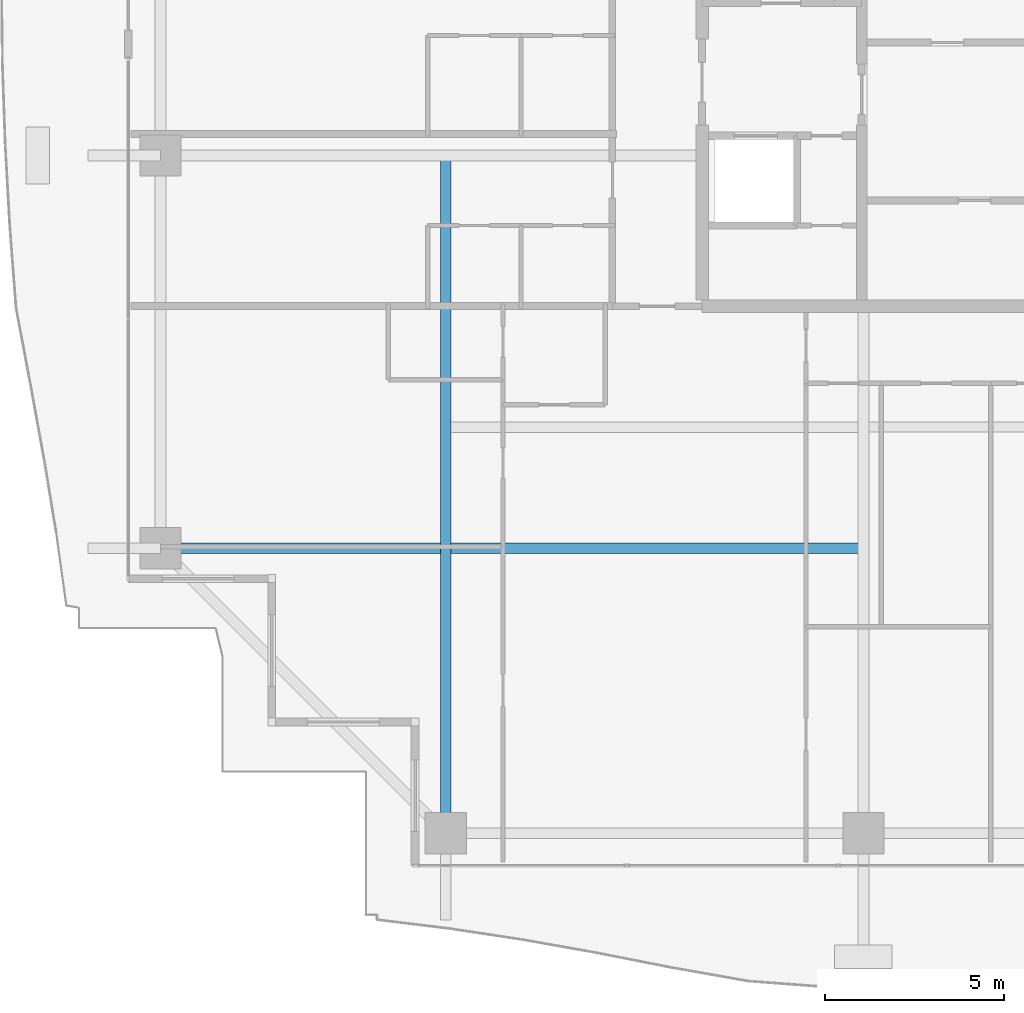
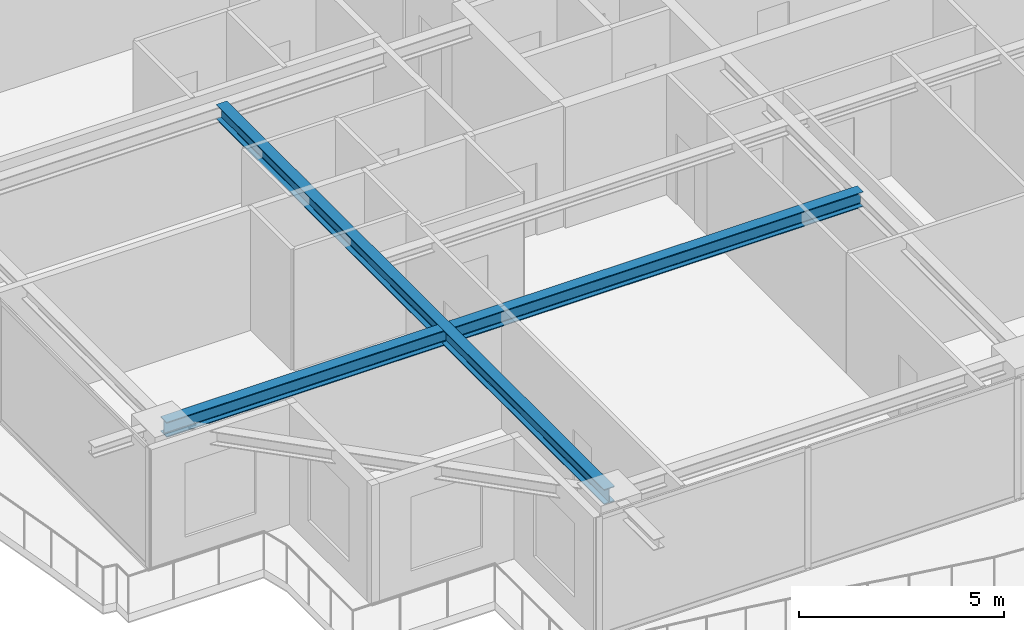
# One storey, part 4 of 36: 2 beams.
"""IFC4 building model written with IfcOpenShell, lengths in metres."""

import ifcopenshell
import ifcopenshell.guid

model = None  # the IFC model being written
_history = None  # IfcOwnerHistory: only IFC2X3 demands one
_inside = {}  # id of a spatial element -> (the spatial element, [elements in it])
_under = {}  # id of a project, library or spatial element -> (it, [spatial elements below it])
_declared = {}  # id of a project -> (the project, [libraries it declares])
_typed = {}  # id of a type object -> (the type object, [elements of that type])
_made_of = {}  # id of a material, layer set ... -> (it, [elements and type objects made of it])


def new_model(schema):
    """Start an empty IFC model of exactly this schema.

    Asked for "IFC4X3", IfcOpenShell would pick the latest addendum, in which some entities
    have other attributes; the version numbers below select the first issue.
    IFC2X3 requires an IfcOwnerHistory on every rooted entity: one is made here for all.
    """
    global model, _history
    if schema == "IFC4X3":
        model = ifcopenshell.file(schema_version=(4, 3, 0, 0))
    else:
        model = ifcopenshell.file(schema=schema)
    _inside.clear()
    _under.clear()
    _declared.clear()
    _typed.clear()
    _made_of.clear()
    _history = None
    if model.schema == "IFC2X3":
        org = make("IfcOrganization", Name="unknown")
        user = make(
            "IfcPersonAndOrganization",
            ThePerson=make("IfcPerson", FamilyName="unknown"),
            TheOrganization=org,
        )
        app = make(
            "IfcApplication",
            ApplicationDeveloper=org,
            Version="unknown",
            ApplicationFullName="unknown",
            ApplicationIdentifier="unknown",
        )
        _history = make(
            "IfcOwnerHistory",
            OwningUser=user,
            OwningApplication=app,
            ChangeAction="ADDED",
            CreationDate=0,
        )
    return model


def make(cls, **values):
    """One entity of the class cls with the attributes given. An attribute that is None is left unset."""
    return model.create_entity(
        cls, **{name: value for name, value in values.items() if value is not None}
    )


def rooted(cls, **values):
    """An entity with a GlobalId (a new one), such as an element, a storey or a relation."""
    return make(cls, GlobalId=ifcopenshell.guid.new(), OwnerHistory=_history, **values)


def si_unit(unit_type, name, prefix=None):
    """IfcSIUnit, for example si_unit("LENGTHUNIT", "METRE", prefix="MILLI")."""
    return make("IfcSIUnit", UnitType=unit_type, Prefix=prefix, Name=name)


def assignment(units):
    """IfcUnitAssignment: the units of a project."""
    return None if units is None else make("IfcUnitAssignment", Units=units)


def point(xyz):
    """IfcCartesianPoint."""
    return None if xyz is None else make("IfcCartesianPoint", Coordinates=xyz)


def direction(xyz):
    """IfcDirection."""
    return None if xyz is None else make("IfcDirection", DirectionRatios=xyz)


def frame(location, z_axis=None, x_axis=None):
    """IfcAxis2Placement3D, a coordinate frame: its origin and axes. An axis left out is left unset."""
    return make(
        "IfcAxis2Placement3D",
        Location=point(location),
        Axis=direction(z_axis),
        RefDirection=direction(x_axis),
    )


def frame_2d(location, x_axis=None):
    """IfcAxis2Placement2D, a coordinate frame in the plane: its origin and x axis."""
    return make(
        "IfcAxis2Placement2D", Location=point(location), RefDirection=direction(x_axis)
    )


def origin():
    """The frame at (0, 0, 0) with its axes left unset."""
    return frame((0.0, 0.0, 0.0))


def origin_2d():
    """The frame at (0, 0) in the plane with its x axis left unset."""
    return frame_2d((0.0, 0.0))


def place(relative_to, where):
    """IfcLocalPlacement: puts the frame where relative to a parent placement (None: the world)."""
    return make(
        "IfcLocalPlacement", PlacementRelTo=relative_to, RelativePlacement=where
    )


def context(
    kind, dimensions, precision=None, world=None, true_north=None, identifier=None
):
    """IfcGeometricRepresentationContext, for example the 3D "Model" context."""
    return make(
        "IfcGeometricRepresentationContext",
        ContextIdentifier=identifier,
        ContextType=kind,
        CoordinateSpaceDimension=dimensions,
        Precision=precision,
        WorldCoordinateSystem=world,
        TrueNorth=true_north,
    )


def subcontext(parent, identifier, kind, view, scale=None):
    """IfcGeometricRepresentationSubContext, for example "Body" below "Model"."""
    return make(
        "IfcGeometricRepresentationSubContext",
        ContextIdentifier=identifier,
        ContextType=kind,
        ParentContext=parent,
        TargetScale=scale,
        TargetView=view,
    )


def project(units=None, contexts=None):
    """IfcProject with its units and contexts."""
    return rooted(
        "IfcProject",
        Name="project",
        RepresentationContexts=contexts,
        UnitsInContext=assignment(units),
    )


def spatial(cls, under=None, at=None, **own):
    """A site, building, storey or space (cls), placed at a placement, below another one or the project."""
    s = rooted(cls, ObjectPlacement=at, **own)
    if under is not None:
        _under.setdefault(under.id(), (under, []))[1].append(s)
    return s


def profile(cls, at=None, kind="AREA", **sizes):
    """A parametric profile (cls). Its sizes go by their IFC names, for example OverallWidth=200.0."""
    return make(cls, ProfileType=kind, Position=at, **sizes)


def i_section(**sizes):
    """IfcIShapeProfileDef."""
    return profile("IfcIShapeProfileDef", **sizes)


def extrude(swept, where, along, depth):
    """IfcExtrudedAreaSolid: the profile swept, set in the frame where, extruded along a direction by depth."""
    return make(
        "IfcExtrudedAreaSolid",
        SweptArea=swept,
        Position=where,
        ExtrudedDirection=direction(along),
        Depth=depth,
    )


def shape(context_of_items, identifier, shape_type, items):
    """IfcShapeRepresentation: the items that make up one representation, for example the "Body"."""
    return make(
        "IfcShapeRepresentation",
        ContextOfItems=context_of_items,
        RepresentationIdentifier=identifier,
        RepresentationType=shape_type,
        Items=items,
    )


def source(mapping_origin, context_of_items, identifier, shape_type, items):
    """IfcRepresentationMap: a shape defined once, which mapped items show again and again."""
    return make(
        "IfcRepresentationMap",
        MappingOrigin=mapping_origin,
        MappedRepresentation=shape(context_of_items, identifier, shape_type, items),
    )


def transform(
    local_origin,
    x_axis=None,
    y_axis=None,
    z_axis=None,
    scale=None,
    scale2=None,
    scale3=None,
    uniform=True,
):
    """IfcCartesianTransformationOperator3D, or its non-uniform kind. x_axis, y_axis, z_axis: its Axis1, 2, 3."""
    if uniform:
        return make(
            "IfcCartesianTransformationOperator3D",
            Axis1=direction(x_axis),
            Axis2=direction(y_axis),
            LocalOrigin=point(local_origin),
            Scale=scale,
            Axis3=direction(z_axis),
        )
    return make(
        "IfcCartesianTransformationOperator3DnonUniform",
        Axis1=direction(x_axis),
        Axis2=direction(y_axis),
        LocalOrigin=point(local_origin),
        Scale=scale,
        Axis3=direction(z_axis),
        Scale2=scale2,
        Scale3=scale3,
    )


def mapped(mapping_source, mapping_target):
    """IfcMappedItem: shows the shape of a source again, moved by a transform."""
    return make(
        "IfcMappedItem", MappingSource=mapping_source, MappingTarget=mapping_target
    )


def material(Name=None, Category=None):
    """IfcMaterial."""
    return make("IfcMaterial", Name=Name, Category=Category)


def material_profile(
    of_material, cross_section, Name=None, Category=None, Priority=None
):
    """IfcMaterialProfile: a cross section and its material."""
    return make(
        "IfcMaterialProfile",
        Name=Name,
        Material=of_material,
        Profile=cross_section,
        Priority=Priority,
        Category=Category,
    )


def profile_set(profiles, Name=None, composite=None):
    """IfcMaterialProfileSet."""
    return make(
        "IfcMaterialProfileSet",
        Name=Name,
        MaterialProfiles=profiles,
        CompositeProfile=composite,
    )


def made_of(thing, what):
    """Note that an element or type object is made of a material, layer set ...; save() writes the relation."""
    if what is not None:
        _made_of.setdefault(what.id(), (what, []))[1].append(thing)
    return thing


def type_object(cls, material=None, **own):
    """A type object (cls), such as IfcWallType, which elements share."""
    return made_of(rooted(cls, **own), material)


def element(
    cls,
    number,
    at=None,
    inside=None,
    cuts=None,
    type_object=None,
    material=None,
    context=None,
    identifier="Body",
    shape_type=None,
    held_by="IfcProductDefinitionShape",
    body=None,
    shapes=None,
    **own,
):
    """One element of the class cls, such as IfcWall. Its Tag is "e" and its number.

    at: its placement. inside: the storey or other place that contains it. cuts: it is an
    opening in that element (IfcRelVoidsElement). A single representation is given by context,
    identifier, shape_type and body (its items); several are given by shapes. held_by: the class
    of the entity that holds the representations. save() writes the other relations.
    """
    e = rooted(cls, Tag="e%d" % number, ObjectPlacement=at, **own)
    if body is not None:
        shapes = [shape(context, identifier, shape_type, body)]
    if shapes is not None:
        e.Representation = make(held_by, Representations=shapes)
    if inside is not None:
        _inside.setdefault(inside.id(), (inside, []))[1].append(e)
    if cuts is not None:
        rooted(
            "IfcRelVoidsElement", RelatingBuildingElement=cuts, RelatedOpeningElement=e
        )
    if type_object is not None:
        _typed.setdefault(type_object.id(), (type_object, []))[1].append(e)
    return made_of(e, material)


def aggregate(whole, parts):
    """IfcRelAggregates: a whole, such as a stair, and the parts it consists of."""
    return rooted("IfcRelAggregates", RelatingObject=whole, RelatedObjects=parts)


def save(model, path):
    """Write the relations noted so far, then the file.

    IfcRelAggregates (storeys below a building ...), IfcRelContainedInSpatialStructure (elements
    in a storey), IfcRelDefinesByType, IfcRelAssociatesMaterial and IfcRelDeclares: one each for
    every whole, place, type object, material and project.
    """
    for whole, parts in _under.values():
        aggregate(whole, parts)
    for where, things in _inside.values():
        rooted(
            "IfcRelContainedInSpatialStructure",
            RelatedElements=things,
            RelatingStructure=where,
        )
    for kind, things in _typed.values():
        rooted("IfcRelDefinesByType", RelatedObjects=things, RelatingType=kind)
    for what, things in _made_of.values():
        rooted("IfcRelAssociatesMaterial", RelatedObjects=things, RelatingMaterial=what)
    for by, libraries in _declared.values():
        rooted("IfcRelDeclares", RelatingContext=by, RelatedDefinitions=libraries)
    model.write(path)


model = new_model("IFC4")

# Units and contexts
model_context = context("Model", 3, precision=1e-05, world=origin(), true_north=direction((0.0, 1.0)))
body_context = subcontext(model_context, "Body", "Model", "MODEL_VIEW")
ifc_project = project(units=[si_unit("LENGTHUNIT", "METRE"), si_unit("AREAUNIT", "SQUARE_METRE"), si_unit("VOLUMEUNIT", "CUBIC_METRE"), si_unit("PLANEANGLEUNIT", "RADIAN"), si_unit("MASSUNIT", "GRAM", prefix="KILO")], contexts=[model_context])

# Site, building, storey
site_placement = place(None, origin())
site = spatial("IfcSite", under=ifc_project, at=site_placement, CompositionType="ELEMENT")
building_placement = place(site_placement, origin())
building = spatial("IfcBuilding", under=site, at=building_placement, Name="Serunith Strait Residences", CompositionType="ELEMENT")
storey_placement = place(building_placement, frame((0.0, 0.0, 272.050048828125)))
storey = spatial("IfcBuildingStorey", under=building, at=storey_placement, Name="L68", CompositionType="ELEMENT", Elevation=272.050048828125)

# Beams
ifc_material = material(Name="Steel S355J2", Category="steel")
ifc_material_profile = material_profile(ifc_material, i_section(OverallWidth=0.300048828125, OverallDepth=0.449951171875, WebThickness=0.013916015625, FlangeThickness=0.02587890625, FilletRadius=0.027099609375, at=origin_2d()), Name="HEB 450")
ifc_profile_set = profile_set([ifc_material_profile], Name="Steel S355J2")
beam_type = type_object("IfcBeamType", Name="BM-HEB450", PredefinedType="BEAM", material=ifc_profile_set)
shared_shape_1 = source(origin(), body_context, "Body", "SweptSolid", [
    extrude(i_section(OverallWidth=0.300048828125, OverallDepth=0.449951171875, WebThickness=0.013916015625, FlangeThickness=0.02587890625, FilletRadius=0.027099609375, at=origin_2d()), origin(), (0.0, 0.0, 1.0), 18.89990234375),
])
beam_1_placement = place(storey_placement, frame((16.25, 21.0, 3.362060546875), z_axis=(0.0, -1.0, 0.0), x_axis=(1.0, 0.0, 0.0)))
element("IfcBeam", 1, at=beam_1_placement, inside=storey, type_object=beam_type, Name="L68 Orthogonal Corner Girder TC-S1", PredefinedType="BEAM", context=body_context, shape_type="MappedRepresentation", body=[
    mapped(shared_shape_1, transform((0.0, 0.0, 0.0), scale=1.0)),
])
shared_shape_2 = source(origin(), body_context, "Body", "SweptSolid", [
    extrude(i_section(OverallWidth=0.300048828125, OverallDepth=0.449951171875, WebThickness=0.013916015625, FlangeThickness=0.02587890625, FilletRadius=0.027099609375, at=origin_2d()), origin(), (0.0, 0.0, 1.0), 19.599853515625),
])
beam_2_placement = place(storey_placement, frame((27.89990234375, 10.050048828125, 3.362060546875), z_axis=(-1.0, 0.0, 0.0), x_axis=(0.0, -1.0, 0.0)))
element("IfcBeam", 2, at=beam_2_placement, inside=storey, type_object=beam_type, Name="L68 Orthogonal Corner Girder TC-W1", PredefinedType="BEAM", context=body_context, shape_type="MappedRepresentation", body=[
    mapped(shared_shape_2, transform((0.0, 0.0, 0.0), scale=1.0)),
])

save(model, "model.ifc")
